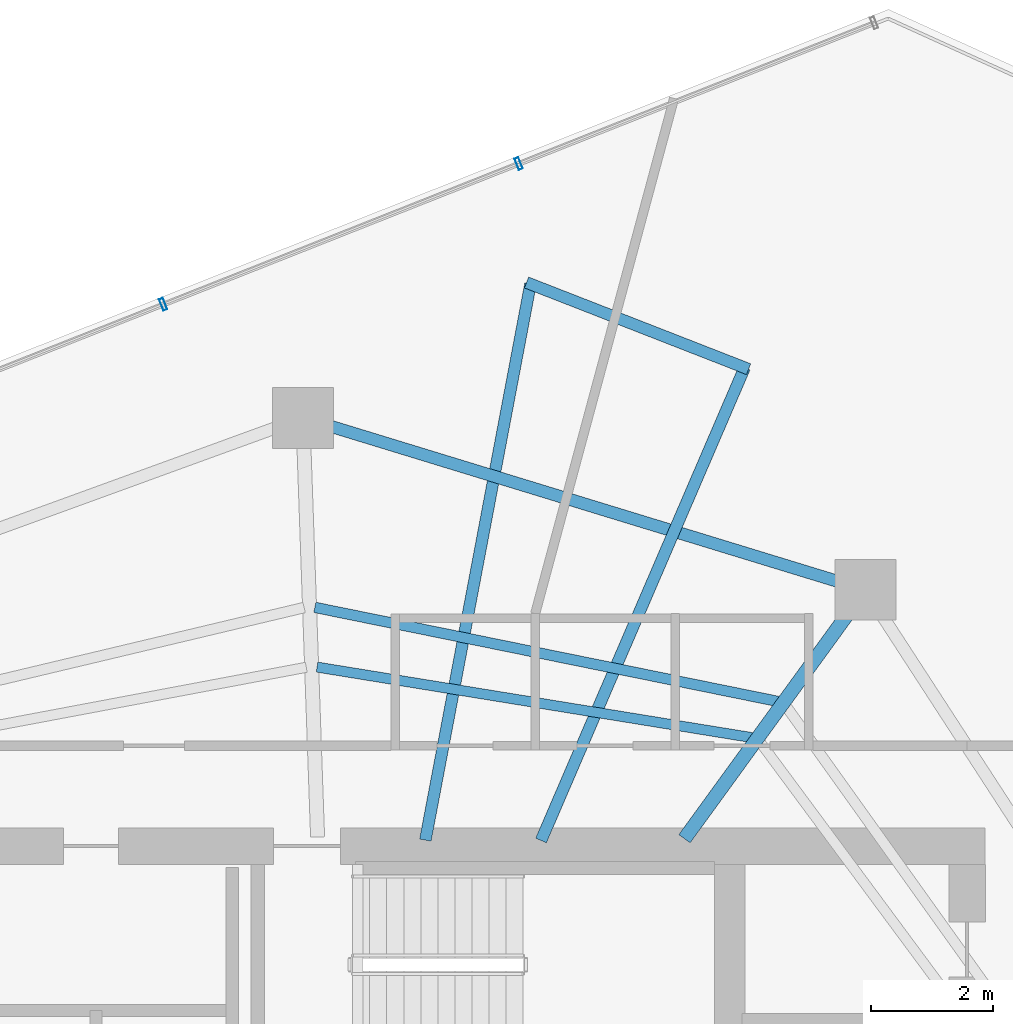
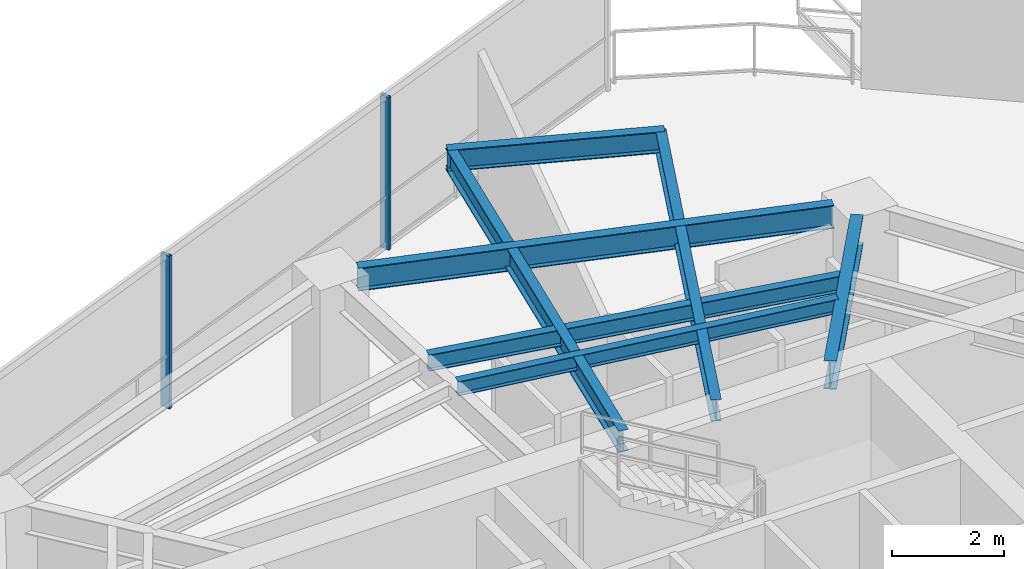
# One storey, part 13 of 20: 7 beams, 2 members, 1 element without a shape of its own.
"""IFC4 building model written with IfcOpenShell, lengths in metres."""

from ifc_helpers import new_model, si_unit, direction, frame, origin, origin_2d, place, context, subcontext, project, spatial, hollow_rectangle, i_section, extrude, material, layer, layer_set, material_profile, profile_set, type_object, element, aggregate, save


model = new_model("IFC4")

# Units and contexts
model_context = context("Model", 3, precision=1e-05, world=origin(), true_north=direction((0.0, 1.0)))
body_context = subcontext(model_context, "Body", "Model", "MODEL_VIEW")
ifc_project = project(units=[si_unit("LENGTHUNIT", "METRE"), si_unit("AREAUNIT", "SQUARE_METRE"), si_unit("VOLUMEUNIT", "CUBIC_METRE"), si_unit("PLANEANGLEUNIT", "RADIAN"), si_unit("MASSUNIT", "GRAM", prefix="KILO")], contexts=[model_context])

# Site, building, storey
site_placement = place(None, origin())
site = spatial("IfcSite", under=ifc_project, at=site_placement, CompositionType="ELEMENT")
building_placement = place(site_placement, origin())
building = spatial("IfcBuilding", under=site, at=building_placement, Name="Qarnah Convention Tower", CompositionType="ELEMENT")
storey_placement = place(building_placement, frame((0.0, 0.0, 147.300048828125)))
storey = spatial("IfcBuildingStorey", under=building, at=storey_placement, Name="L39", CompositionType="ELEMENT", Elevation=147.300048828125)

# Beams
ifc_material_1 = material(Name="Structural steel S355JR", Category="steel")
ifc_material_profile_1 = material_profile(ifc_material_1, i_section(OverallWidth=0.19189453125, OverallDepth=0.464111328125, WebThickness=0.010986328125, FlangeThickness=0.01806640625, at=origin_2d()), Name="W460X89")
ifc_profile_set_1 = profile_set([ifc_material_profile_1], Name="Structural steel S355JR")
beam_type_1 = type_object("IfcBeamType", Name="BM-CANT-W460A", PredefinedType="BEAM", material=ifc_profile_set_1)
beam_1_placement = place(storey_placement, frame((40.596923828125, 34.2919921875, 3.087890625), z_axis=(0.395464433699, 0.918481290871, 0.0), x_axis=(-0.918481290871, 0.395464433699, 0.0)))
element("IfcBeam", 1, at=beam_1_placement, inside=storey, type_object=beam_type_1, Name="L39 beam BM-L39-CNT-01-1", PredefinedType="BEAM", context=body_context, shape_type="SweptSolid", body=[
    extrude(i_section(OverallWidth=0.19189453125, OverallDepth=0.464111328125, WebThickness=0.010986328125, FlangeThickness=0.01806640625, at=origin_2d()), origin(), (0.0, 0.0, 1.0), 8.4638671875),
])
beam_2_placement = place(storey_placement, frame((38.695068359375, 34.298095703125, 3.087890625), z_axis=(0.185817043038, 0.982584361018, 0.0), x_axis=(-0.982584361018, 0.185817043038, 0.0)))
element("IfcBeam", 2, at=beam_2_placement, inside=storey, type_object=beam_type_1, Name="L39 beam BM-L39-CNT-01-2", PredefinedType="BEAM", context=body_context, shape_type="SweptSolid", body=[
    extrude(i_section(OverallWidth=0.19189453125, OverallDepth=0.464111328125, WebThickness=0.010986328125, FlangeThickness=0.01806640625, at=origin_2d()), origin(), (0.0, 0.0, 1.0), 9.304931640625),
])
beam_3_placement = place(storey_placement, frame((44.009033203125, 42.041015625, 3.087890625), z_axis=(-0.931525629959, 0.363675680695, 0.0), x_axis=(-0.363675680695, -0.931525629959, 0.0)))
element("IfcBeam", 3, at=beam_3_placement, inside=storey, type_object=beam_type_1, Name="L39 spandrel BM-L39-CTIE-01", PredefinedType="SPANDREL", context=body_context, shape_type="SweptSolid", body=[
    extrude(i_section(OverallWidth=0.19189453125, OverallDepth=0.464111328125, WebThickness=0.010986328125, FlangeThickness=0.01806640625, at=origin_2d()), origin(), (0.0, 0.0, 1.0), 3.91845703125),
])
ifc_material_profile_2 = material_profile(ifc_material_1, i_section(OverallWidth=0.166015625, OverallDepth=0.31201171875, WebThickness=0.007080078125, FlangeThickness=0.010986328125, at=origin_2d()), Name="W310X45")
ifc_profile_set_2 = profile_set([ifc_material_profile_2], Name="Structural steel S355JR")
beam_type_2 = type_object("IfcBeamType", Name="BM-JST-W310", PredefinedType="JOIST", material=ifc_profile_set_2)
beam_4_placement = place(storey_placement, frame((44.06396484375, 35.98388671875, 3.1640625), z_axis=(-0.987111234702, 0.160035653294, 0.0), x_axis=(-0.160035653294, -0.987111234702, 0.0)))
element("IfcBeam", 4, at=beam_4_placement, inside=storey, type_object=beam_type_2, Name="L39 joist BM-L39-IJST-02", PredefinedType="JOIST", context=body_context, shape_type="SweptSolid", body=[
    extrude(i_section(OverallWidth=0.166015625, OverallDepth=0.31201171875, WebThickness=0.007080078125, FlangeThickness=0.010986328125, at=origin_2d()), origin(), (0.0, 0.0, 1.0), 7.2431640625),
])
ifc_material_profile_3 = material_profile(ifc_material_1, i_section(OverallWidth=0.172119140625, OverallDepth=0.35595703125, WebThickness=0.007080078125, FlangeThickness=0.011962890625, at=origin_2d()), Name="W360X51")
ifc_profile_set_3 = profile_set([ifc_material_profile_3], Name="Structural steel S355JR")
beam_type_3 = type_object("IfcBeamType", Name="BM-JST-W360", PredefinedType="JOIST", material=ifc_profile_set_3)
beam_5_placement = place(storey_placement, frame((44.493896484375, 36.577880859375, 3.141845703125), z_axis=(-0.979984159566, 0.199075480659, 0.0), x_axis=(-0.199075480659, -0.979984159566, 0.0)))
element("IfcBeam", 5, at=beam_5_placement, inside=storey, type_object=beam_type_3, Name="L39 joist BM-L39-SJST-02", PredefinedType="JOIST", context=body_context, shape_type="SweptSolid", body=[
    extrude(i_section(OverallWidth=0.172119140625, OverallDepth=0.35595703125, WebThickness=0.007080078125, FlangeThickness=0.011962890625, at=origin_2d()), origin(), (0.0, 0.0, 1.0), 7.771484375),
])
ifc_material_profile_4 = material_profile(ifc_material_1, i_section(OverallWidth=0.22998046875, OverallDepth=0.617919921875, WebThickness=0.012939453125, FlangeThickness=0.02197265625, at=origin_2d()), Name="W610X140")
ifc_profile_set_4 = profile_set([ifc_material_profile_4], Name="Structural steel S355JR")
beam_type_4 = type_object("IfcBeamType", Name="BM-RAD-W610A", PredefinedType="BEAM", material=ifc_profile_set_4)
beam_6_placement = place(storey_placement, frame((42.955078125, 34.321044921875, 3.010986328125), z_axis=(0.58781027487, 0.808998813817, 0.0), x_axis=(-0.808998813817, 0.58781027487, 0.0)))
element("IfcBeam", 6, at=beam_6_placement, inside=storey, type_object=beam_type_4, Name="L39 beam BM-L39-RAD-02", PredefinedType="BEAM", context=body_context, shape_type="SweptSolid", body=[
    extrude(i_section(OverallWidth=0.22998046875, OverallDepth=0.617919921875, WebThickness=0.012939453125, FlangeThickness=0.02197265625, at=origin_2d()), origin(), (0.0, 0.0, 1.0), 4.57958984375),
])
ifc_material_profile_5 = material_profile(ifc_material_1, i_section(OverallWidth=0.199951171875, OverallDepth=0.5, WebThickness=0.010009765625, FlangeThickness=0.01611328125, at=origin_2d()), Name="IPE500")
ifc_profile_set_5 = profile_set([ifc_material_profile_5], Name="Structural steel S355JR")
beam_type_5 = type_object("IfcBeamType", Name="BM-SPN-IPE500", PredefinedType="SPANDREL", material=ifc_profile_set_5)
beam_7_placement = place(storey_placement, frame((45.4599609375, 38.556884765625, 3.070068359375), z_axis=(-0.956283054976, 0.292442676035, 0.0), x_axis=(-0.292442676035, -0.956283054976, 0.0)))
element("IfcBeam", 7, at=beam_7_placement, inside=storey, type_object=beam_type_5, Name="L39 spandrel BM-L39-SPN-02", PredefinedType="SPANDREL", context=body_context, shape_type="SweptSolid", body=[
    extrude(i_section(OverallWidth=0.199951171875, OverallDepth=0.5, WebThickness=0.010009765625, FlangeThickness=0.01611328125, at=origin_2d()), origin(), (0.0, 0.0, 1.0), 8.68896484375),
])

# Curtain wall, members
ifc_material_2 = material(Name="Tempered Low-E dark glass", Category="glass")
ifc_layer = layer(ifc_material_2, 0.172119140625)
ifc_layer_set = layer_set([ifc_layer], Name="Tempered Low-E dark glass")
curtain_wall_type = type_object("IfcCurtainWallType", Name="CWS-03", PredefinedType="NOTDEFINED", material=ifc_layer_set)
curtain_wall_placement = place(storey_placement, origin())
curtain_wall = element("IfcCurtainWall", 8, at=curtain_wall_placement, inside=storey, type_object=curtain_wall_type, Name="L39 unitised curtain wall CW-L39-F3", PredefinedType="NOTDEFINED")
ifc_material_3 = material(Name="Black anodised aluminium", Category="aluminium")
ifc_material_profile_6 = material_profile(ifc_material_3, hollow_rectangle(XDim=0.070068359375, YDim=0.199951171875, WallThickness=0.0048828125, at=origin_2d()), Name="MUL-70X200")
ifc_profile_set_6 = profile_set([ifc_material_profile_6], Name="Black anodised aluminium")
member_type = type_object("IfcMemberType", Name="MUL-T3", PredefinedType="MULLION", material=ifc_profile_set_6)
member_1_placement = place(storey_placement, frame((34.385009765625, 43.107421875, 0.0), z_axis=(0.0, 0.0, 1.0), x_axis=(0.929776665788, 0.36812409831, 0.0)))
member_1 = element("IfcMember", 9, at=member_1_placement, type_object=member_type, Name="CW-L39-F3 mullion 4", PredefinedType="MULLION", context=body_context, shape_type="SweptSolid", body=[
    extrude(hollow_rectangle(XDim=0.070068359375, YDim=0.199951171875, WallThickness=0.0048828125, at=origin_2d()), origin(), (0.0, 0.0, 1.0), 3.320068359375),
])
member_2_placement = place(storey_placement, frame((40.22900390625, 45.421142578125, 0.0), z_axis=(0.0, 0.0, 1.0), x_axis=(0.929776665788, 0.36812409831, 0.0)))
member_2 = element("IfcMember", 10, at=member_2_placement, type_object=member_type, Name="CW-L39-F3 mullion 5", PredefinedType="MULLION", context=body_context, shape_type="SweptSolid", body=[
    extrude(hollow_rectangle(XDim=0.070068359375, YDim=0.199951171875, WallThickness=0.0048828125, at=origin_2d()), origin(), (0.0, 0.0, 1.0), 3.320068359375),
])
aggregate(curtain_wall, [member_1, member_2])

save(model, "model.ifc")
